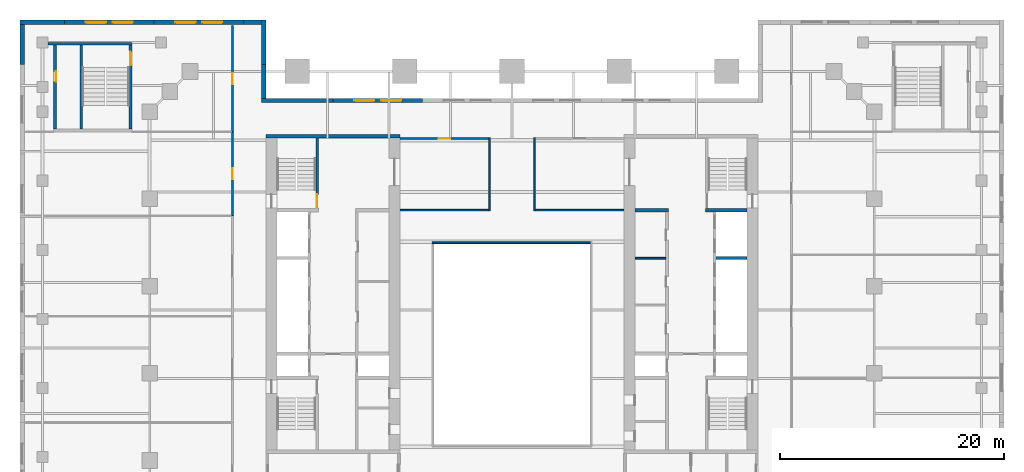
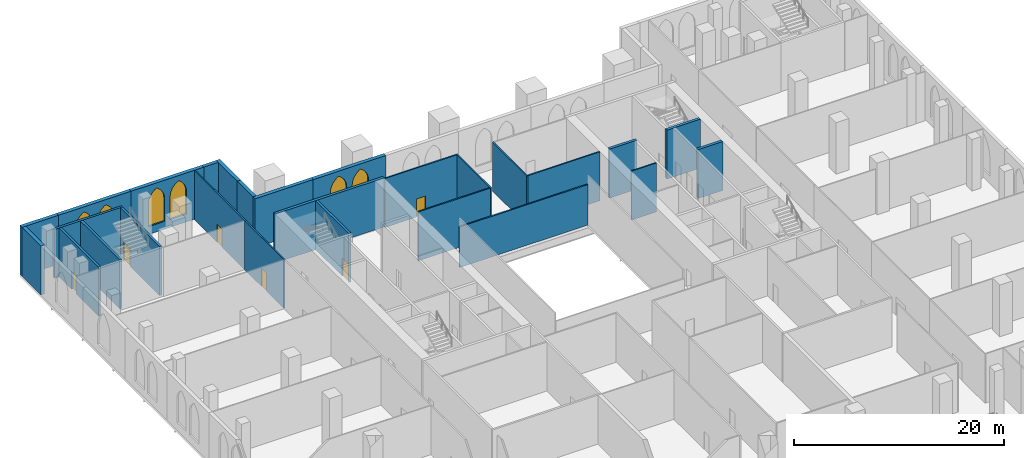
# One storey, part 15 of 21: 27 walls, 6 doors, 6 windows, 12 openings.
"""IFC4 building model written with IfcOpenShell, lengths in metres."""

from ifc_helpers import new_model, si_unit, direction, frame, frame_2d, origin, place, context, subcontext, project, spatial, polyline, rectangle, outline, extrude, material, layer, layer_set, type_object, element, fill, save


model = new_model("IFC4")

# Units and contexts
model_context = context("Model", 3, precision=1e-05, world=origin(), true_north=direction((0.0, 1.0)))
body_context = subcontext(model_context, "Body", "Model", "MODEL_VIEW")
ifc_project = project(units=[si_unit("LENGTHUNIT", "METRE"), si_unit("AREAUNIT", "SQUARE_METRE"), si_unit("VOLUMEUNIT", "CUBIC_METRE"), si_unit("PLANEANGLEUNIT", "RADIAN"), si_unit("MASSUNIT", "GRAM", prefix="KILO")], contexts=[model_context])

# Site, building, storey
site_placement = place(None, origin())
site = spatial("IfcSite", under=ifc_project, at=site_placement, CompositionType="ELEMENT")
building_placement = place(site_placement, origin())
building = spatial("IfcBuilding", under=site, at=building_placement, Name="Ogive Exchange Tower", CompositionType="ELEMENT")
storey_placement = place(building_placement, frame((0.0, 0.0, 8.0)))
storey = spatial("IfcBuildingStorey", under=building, at=storey_placement, Name="L01", CompositionType="ELEMENT", Elevation=8.0)

# Walls
ifc_material_1 = material(Name="Gypsum board partition")
ifc_layer_1 = layer(ifc_material_1, 0.14990234375)
ifc_layer_set_1 = layer_set([ifc_layer_1], Name="Core room partition 150 gypsum")
wall_type_1 = type_object("IfcWallType", Name="Core room partition 150 gypsum", PredefinedType="PARTITIONING", material=ifc_layer_set_1)
wall_1_placement = place(storey_placement, frame((11.0, 14.699951171875, 0.0), z_axis=(0.0, 0.0, 1.0), x_axis=(1.0, 0.0, 0.0)))
element("IfcWall", 1, at=wall_1_placement, inside=storey, type_object=wall_type_1, Name="E row B bay partition 1-2", PredefinedType="PARTITIONING", context=body_context, shape_type="SweptSolid", body=[
    extrude(rectangle(XDim=2.75, YDim=0.14990234375, at=frame_2d((1.375, 0.0))), origin(), (0.0, 0.0, 1.0), 5.699951171875),
])
ifc_layer_2 = layer(ifc_material_1, 0.300048828125)
ifc_layer_set_2 = layer_set([ifc_layer_2], Name="Core room partition 300 gypsum")
wall_type_2 = type_object("IfcWallType", Name="Core room partition 300 gypsum", PredefinedType="PARTITIONING", material=ifc_layer_set_2)
wall_2_placement = place(storey_placement, frame((11.0, 19.0, 0.0), z_axis=(0.0, 0.0, 1.0), x_axis=(1.0, 0.0, 0.0)))
element("IfcWall", 2, at=wall_2_placement, inside=storey, type_object=wall_type_2, Name="E row B room end wall 7", PredefinedType="PARTITIONING", context=body_context, shape_type="SweptSolid", body=[
    extrude(rectangle(XDim=3.0, YDim=0.300048828125, at=frame_2d((1.5, 0.0))), origin(), (0.0, 0.0, 1.0), 5.699951171875),
])
ifc_material_2 = material(Name="Fire partition EI 60 150")
ifc_layer_3 = layer(ifc_material_2, 0.14990234375)
ifc_layer_set_3 = layer_set([ifc_layer_3], Name="Fire partition EI 60 150")
wall_type_3 = type_object("IfcWallType", Name="Fire partition EI 60 150", PredefinedType="PARTITIONING", material=ifc_layer_set_3)
for number, where, z_axis, x_axis, name in (
    (3, (-10.0, 19.0, 0.0), (0.0, 0.0, 1.0), (1.0, 0.0, 0.0), "L01-PWL-033"),
    (4, (2.074951171875, 19.0, 0.0), (0.0, 0.0, 1.0), (1.0, 0.0, 0.0), "L01-PWL-034"),
):
    element("IfcWall", number, at=place(storey_placement, frame(where, z_axis=z_axis, x_axis=x_axis)), inside=storey, type_object=wall_type_3, Name=name, PredefinedType="PARTITIONING", context=body_context, shape_type="SweptSolid", body=[
        extrude(rectangle(XDim=7.925048828125, YDim=0.14990234375, at=frame_2d((3.96240234375, 0.0))), origin(), (0.0, 0.0, 1.0), 5.699951171875),
    ])

# Wall, opening, door
wall_3_placement = place(storey_placement, frame((-10.0, 25.39990234375, 0.0), z_axis=(0.0, 0.0, 1.0), x_axis=(1.0, 0.0, 0.0)))
wall_3 = element("IfcWall", 5, at=wall_3_placement, inside=storey, type_object=wall_type_3, Name="L01-PWL-035", PredefinedType="PARTITIONING", context=body_context, shape_type="SweptSolid", body=[
    extrude(rectangle(XDim=7.925048828125, YDim=0.14990234375, at=frame_2d((3.96240234375, 0.0))), origin(), (0.0, 0.0, 1.0), 5.699951171875),
])
opening_1_placement = place(wall_3_placement, frame((3.46240234375, 0.0, 0.0)))
opening_1 = element("IfcOpeningElement", 6, at=opening_1_placement, cuts=wall_3, Name="Opening L01-I24", PredefinedType="OPENING", context=body_context, shape_type="SweptSolid", body=[
    extrude(rectangle(XDim=1.0, YDim=2.10009765625, at=frame_2d((0.5, 1.050048828125))), frame((0.0, 0.0849609375, 0.0), z_axis=(0.0, -1.0, 0.0), x_axis=(1.0, 0.0, 0.0)), (0.0, 0.0, 1.0), 0.169921875),
])
ifc_material_3 = material(Name="Fire door FD 30S 1000 x 2100")
door_type_1 = type_object("IfcDoorType", Name="Fire door FD 30S 1000 x 2100", OperationType="NOTDEFINED", PredefinedType="DOOR", material=ifc_material_3)
door_1_placement = place(opening_1_placement, frame((1.0, 0.0, 0.0), z_axis=(0.0, 0.0, 1.0), x_axis=(-1.0, 0.0, 0.0)))
door_1 = element("IfcDoor", 7, at=door_1_placement, inside=storey, type_object=door_type_1, Name="L01-IDR-024", ObjectType="DT3", OperationType="SINGLE_SWING_LEFT", OverallHeight=2.10009765625, OverallWidth=1.0, PredefinedType="DOOR", context=body_context, shape_type="SweptSolid", body=[
    extrude(rectangle(XDim=1.0, YDim=2.10009765625, at=frame_2d((0.5, 1.050048828125))), frame((0.0, 0.02490234375, 0.0), z_axis=(0.0, -1.0, 0.0), x_axis=(1.0, 0.0, 0.0)), (0.0, 0.0, 1.0), 0.050048828125),
])
fill(opening_1, door_1)

wall_4_placement = place(storey_placement, frame((-25.0, 18.5, 0.0), z_axis=(0.0, 0.0, 1.0), x_axis=(0.0, 1.0, 0.0)))
wall_4 = element("IfcWall", 8, at=wall_4_placement, inside=storey, type_object=wall_type_3, Name="L01-PWL-050", PredefinedType="PARTITIONING", context=body_context, shape_type="SweptSolid", body=[
    extrude(rectangle(XDim=7.5, YDim=0.14990234375, at=frame_2d((3.75, 0.0))), origin(), (0.0, 0.0, 1.0), 5.699951171875),
])
opening_2_placement = place(wall_4_placement, frame((3.25, 0.0, 0.0)))
opening_2 = element("IfcOpeningElement", 9, at=opening_2_placement, cuts=wall_4, Name="Opening L01-I08", PredefinedType="OPENING", context=body_context, shape_type="SweptSolid", body=[
    extrude(rectangle(XDim=1.0, YDim=2.10009765625, at=frame_2d((0.5, 1.050048828125))), frame((0.0, 0.0849609375, 0.0), z_axis=(0.0, -1.0, 0.0), x_axis=(1.0, 0.0, 0.0)), (0.0, 0.0, 1.0), 0.169921875),
])
door_2_placement = place(opening_2_placement, origin())
door_2 = element("IfcDoor", 10, at=door_2_placement, inside=storey, type_object=door_type_1, Name="L01-IDR-008", ObjectType="DT3", OperationType="SINGLE_SWING_LEFT", OverallHeight=2.10009765625, OverallWidth=1.0, PredefinedType="DOOR", context=body_context, shape_type="SweptSolid", body=[
    extrude(rectangle(XDim=1.0, YDim=2.10009765625, at=frame_2d((0.5, 1.050048828125))), frame((0.0, 0.02490234375, 0.0), z_axis=(0.0, -1.0, 0.0), x_axis=(1.0, 0.0, 0.0)), (0.0, 0.0, 1.0), 0.050048828125),
])
fill(opening_2, door_2)

wall_5_placement = place(storey_placement, frame((-25.0, 26.0, 0.0), z_axis=(0.0, 0.0, 1.0), x_axis=(0.0, 1.0, 0.0)))
wall_5 = element("IfcWall", 11, at=wall_5_placement, inside=storey, type_object=wall_type_3, Name="L01-PWL-051", PredefinedType="PARTITIONING", context=body_context, shape_type="SweptSolid", body=[
    extrude(rectangle(XDim=9.5, YDim=0.14990234375, at=frame_2d((4.75, 0.0))), origin(), (0.0, 0.0, 1.0), 5.699951171875),
])
opening_3_placement = place(wall_5_placement, frame((4.25, 0.0, 0.0)))
opening_3 = element("IfcOpeningElement", 12, at=opening_3_placement, cuts=wall_5, Name="Opening L01-I01", PredefinedType="OPENING", context=body_context, shape_type="SweptSolid", body=[
    extrude(rectangle(XDim=1.0, YDim=2.10009765625, at=frame_2d((0.5, 1.050048828125))), frame((0.0, 0.0849609375, 0.0), z_axis=(0.0, -1.0, 0.0), x_axis=(1.0, 0.0, 0.0)), (0.0, 0.0, 1.0), 0.169921875),
])
door_3_placement = place(opening_3_placement, origin())
door_3 = element("IfcDoor", 13, at=door_3_placement, inside=storey, type_object=door_type_1, Name="L01-IDR-001", ObjectType="DT3", OperationType="SINGLE_SWING_LEFT", OverallHeight=2.10009765625, OverallWidth=1.0, PredefinedType="DOOR", context=body_context, shape_type="SweptSolid", body=[
    extrude(rectangle(XDim=1.0, YDim=2.10009765625, at=frame_2d((0.5, 1.050048828125))), frame((0.0, 0.02490234375, 0.0), z_axis=(0.0, -1.0, 0.0), x_axis=(1.0, 0.0, 0.0)), (0.0, 0.0, 1.0), 0.050048828125),
])
fill(opening_3, door_3)

# Walls
for number, where, z_axis, x_axis, name in (
    (14, (-2.0, 18.925048828125, 0.0), (0.0, 0.0, 1.0), (0.0, 1.0, 0.0), "L01-PWL-055"),
    (15, (2.0, 18.925048828125, 0.0), (0.0, 0.0, 1.0), (0.0, 1.0, 0.0), "L01-PWL-058"),
):
    element("IfcWall", number, at=place(storey_placement, frame(where, z_axis=z_axis, x_axis=x_axis)), inside=storey, type_object=wall_type_3, Name=name, PredefinedType="PARTITIONING", context=body_context, shape_type="SweptSolid", body=[
        extrude(rectangle(XDim=6.550048828125, YDim=0.14990234375, at=frame_2d((3.27490234375, 0.0))), origin(), (0.0, 0.0, 1.0), 5.699951171875),
    ])
ifc_material_4 = material(Name="Fire-resisting glass in steel frame", Category="steel")
ifc_layer_4 = layer(ifc_material_4, 0.14990234375)
ifc_layer_set_4 = layer_set([ifc_layer_4], Name="Fire-rated glazed wall 150")
wall_type_4 = type_object("IfcWallType", Name="Fire-rated glazed wall 150", PredefinedType="STANDARD", material=ifc_layer_set_4)
wall_6_placement = place(storey_placement, frame((-7.14990234375, 16.074951171875, 0.0), z_axis=(0.0, 0.0, 1.0), x_axis=(1.0, 0.0, 0.0)))
element("IfcWall", 16, at=wall_6_placement, inside=storey, type_object=wall_type_4, Name="Nave enclosure wall 2", PredefinedType="STANDARD", context=body_context, shape_type="SweptSolid", body=[
    extrude(rectangle(XDim=14.14990234375, YDim=0.14990234375, at=frame_2d((7.074951171875, 0.0))), origin(), (0.0, 0.0, 1.0), 4.719970703125),
])

# Wall, openings, windows
ifc_material_5 = material(Name="Precast concrete C40/50", Category="concrete")
ifc_layer_5 = layer(ifc_material_5, 0.39990234375)
ifc_layer_set_5 = layer_set([ifc_layer_5], Name="Limestone-faced wall 400")
wall_type_5 = type_object("IfcWallType", Name="Limestone-faced wall 400", PredefinedType="STANDARD", material=ifc_layer_set_5)
wall_7_placement = place(storey_placement, frame((-8.0, 28.800048828125, 0.0), z_axis=(0.0, 0.0, 1.0), x_axis=(-1.0, 0.0, 0.0)))
wall_7 = element("IfcWall", 17, at=wall_7_placement, inside=storey, type_object=wall_type_5, Name="Podium wall B5", PredefinedType="STANDARD", context=body_context, shape_type="SweptSolid", body=[
    extrude(rectangle(XDim=8.0, YDim=0.39990234375, at=frame_2d((4.0, 0.0))), origin(), (0.0, 0.0, 1.0), 5.699951171875),
])
opening_4_placement = place(wall_7_placement, frame((1.89990234375, 0.0, 0.89990234375)))
opening_4 = element("IfcOpeningElement", 18, at=opening_4_placement, cuts=wall_7, Name="Opening WQ420", PredefinedType="OPENING", context=body_context, shape_type="SweptSolid", body=[
    extrude(outline(polyline([(0.0, 0.0), (1.800048828125, 0.0), (1.800048828125, 2.64111328125), (1.78466796875, 2.8759765625), (1.73876953125, 3.10693359375), (1.6630859375, 3.329833984375), (1.558837890625, 3.541015625), (1.427978515625, 3.73681640625), (1.272705078125, 3.913818359375), (1.095703125, 4.069091796875), (0.89990234375, 4.199951171875), (0.704345703125, 4.069091796875), (0.52734375, 3.913818359375), (0.3720703125, 3.73681640625), (0.2412109375, 3.541015625), (0.136962890625, 3.329833984375), (0.061279296875, 3.10693359375), (0.015380859375, 2.8759765625), (0.0, 2.64111328125), (0.0, 0.0)])), frame((0.0, 0.2099609375, 0.0), z_axis=(0.0, -1.0, 0.0), x_axis=(1.0, 0.0, 0.0)), (0.0, 0.0, 1.0), 0.419921875),
])
opening_5_placement = place(wall_7_placement, frame((4.300048828125, 0.0, 0.89990234375)))
opening_5 = element("IfcOpeningElement", 19, at=opening_5_placement, cuts=wall_7, Name="Opening WQ420", PredefinedType="OPENING", context=body_context, shape_type="SweptSolid", body=[
    extrude(outline(polyline([(0.0, 0.0), (1.800048828125, 0.0), (1.800048828125, 2.64111328125), (1.78466796875, 2.8759765625), (1.73876953125, 3.10693359375), (1.6630859375, 3.329833984375), (1.558837890625, 3.541015625), (1.427978515625, 3.73681640625), (1.272705078125, 3.913818359375), (1.095703125, 4.069091796875), (0.89990234375, 4.199951171875), (0.704345703125, 4.069091796875), (0.52734375, 3.913818359375), (0.3720703125, 3.73681640625), (0.2412109375, 3.541015625), (0.136962890625, 3.329833984375), (0.061279296875, 3.10693359375), (0.015380859375, 2.8759765625), (0.0, 2.64111328125), (0.0, 0.0)])), frame((0.0, 0.2099609375, 0.0), z_axis=(0.0, -1.0, 0.0), x_axis=(1.0, 0.0, 0.0)), (0.0, 0.0, 1.0), 0.419921875),
])
ifc_material_6 = material(Name="Clear glass in bronze frame", Category="glass")
window_type = type_object("IfcWindowType", Name="Podium paired lancet 1800 x 4200", PartitioningType="DOUBLE_PANEL_VERTICAL", PredefinedType="WINDOW", material=ifc_material_6)
window_1_placement = place(opening_4_placement, origin())
window_1 = element("IfcWindow", 20, at=window_1_placement, inside=storey, type_object=window_type, Name="Podium paired lancet B5.1", OverallHeight=4.199951171875, OverallWidth=1.800048828125, PartitioningType="DOUBLE_PANEL_VERTICAL", PredefinedType="WINDOW", context=body_context, shape_type="SweptSolid", body=[
    extrude(outline(polyline([(0.0, 0.0), (1.800048828125, 0.0), (1.800048828125, 2.64111328125), (1.78466796875, 2.8759765625), (1.73876953125, 3.10693359375), (1.6630859375, 3.329833984375), (1.558837890625, 3.541015625), (1.427978515625, 3.73681640625), (1.272705078125, 3.913818359375), (1.095703125, 4.069091796875), (0.89990234375, 4.199951171875), (0.704345703125, 4.069091796875), (0.52734375, 3.913818359375), (0.3720703125, 3.73681640625), (0.2412109375, 3.541015625), (0.136962890625, 3.329833984375), (0.061279296875, 3.10693359375), (0.015380859375, 2.8759765625), (0.0, 2.64111328125), (0.0, 0.0)])), frame((0.0, 0.030029296875, 0.0), z_axis=(0.0, -1.0, 0.0), x_axis=(1.0, 0.0, 0.0)), (0.0, 0.0, 1.0), 0.06005859375),
])
fill(opening_4, window_1)
window_2_placement = place(opening_5_placement, origin())
window_2 = element("IfcWindow", 21, at=window_2_placement, inside=storey, type_object=window_type, Name="Podium paired lancet B5.2", OverallHeight=4.199951171875, OverallWidth=1.800048828125, PartitioningType="DOUBLE_PANEL_VERTICAL", PredefinedType="WINDOW", context=body_context, shape_type="SweptSolid", body=[
    extrude(outline(polyline([(0.0, 0.0), (1.800048828125, 0.0), (1.800048828125, 2.64111328125), (1.78466796875, 2.8759765625), (1.73876953125, 3.10693359375), (1.6630859375, 3.329833984375), (1.558837890625, 3.541015625), (1.427978515625, 3.73681640625), (1.272705078125, 3.913818359375), (1.095703125, 4.069091796875), (0.89990234375, 4.199951171875), (0.704345703125, 4.069091796875), (0.52734375, 3.913818359375), (0.3720703125, 3.73681640625), (0.2412109375, 3.541015625), (0.136962890625, 3.329833984375), (0.061279296875, 3.10693359375), (0.015380859375, 2.8759765625), (0.0, 2.64111328125), (0.0, 0.0)])), frame((0.0, 0.030029296875, 0.0), z_axis=(0.0, -1.0, 0.0), x_axis=(1.0, 0.0, 0.0)), (0.0, 0.0, 1.0), 0.06005859375),
])
fill(opening_5, window_2)

# Walls
wall_8_placement = place(storey_placement, frame((-16.0, 28.800048828125, 0.0), z_axis=(0.0, 0.0, 1.0), x_axis=(-1.0, 0.0, 0.0)))
element("IfcWall", 22, at=wall_8_placement, inside=storey, type_object=wall_type_5, Name="Podium wall B6", PredefinedType="STANDARD", context=body_context, shape_type="SweptSolid", body=[
    extrude(rectangle(XDim=6.39990234375, YDim=0.39990234375, at=frame_2d((3.199951171875, 0.0))), origin(), (0.0, 0.0, 1.0), 5.699951171875),
])
wall_9_placement = place(storey_placement, frame((-22.199951171875, 29.0, 0.0), z_axis=(0.0, 0.0, 1.0), x_axis=(0.0, 1.0, 0.0)))
element("IfcWall", 23, at=wall_9_placement, inside=storey, type_object=wall_type_5, Name="Podium wall J1", PredefinedType="STANDARD", context=body_context, shape_type="SweptSolid", body=[
    extrude(rectangle(XDim=3.0, YDim=0.39990234375, at=frame_2d((1.5, 0.0))), origin(), (0.0, 0.0, 1.0), 5.699951171875),
])
wall_10_placement = place(storey_placement, frame((-22.199951171875, 32.0, 0.0), z_axis=(0.0, 0.0, 1.0), x_axis=(0.0, 1.0, 0.0)))
element("IfcWall", 24, at=wall_10_placement, inside=storey, type_object=wall_type_5, Name="Podium wall J2", PredefinedType="STANDARD", context=body_context, shape_type="SweptSolid", body=[
    extrude(rectangle(XDim=4.0, YDim=0.39990234375, at=frame_2d((2.0, 0.0))), origin(), (0.0, 0.0, 1.0), 5.699951171875),
])
wall_11_placement = place(storey_placement, frame((-22.39990234375, 35.800048828125, 0.0), z_axis=(0.0, 0.0, 1.0), x_axis=(-1.0, 0.0, 0.0)))
element("IfcWall", 25, at=wall_11_placement, inside=storey, type_object=wall_type_5, Name="Podium wall M1", PredefinedType="STANDARD", context=body_context, shape_type="SweptSolid", body=[
    extrude(rectangle(XDim=1.60009765625, YDim=0.39990234375, at=frame_2d((0.800048828125, 0.0))), origin(), (0.0, 0.0, 1.0), 5.699951171875),
])

# Wall, openings, windows
wall_12_placement = place(storey_placement, frame((-24.0, 35.800048828125, 0.0), z_axis=(0.0, 0.0, 1.0), x_axis=(-1.0, 0.0, 0.0)))
wall_12 = element("IfcWall", 26, at=wall_12_placement, inside=storey, type_object=wall_type_5, Name="Podium wall M2", PredefinedType="STANDARD", context=body_context, shape_type="SweptSolid", body=[
    extrude(rectangle(XDim=8.0, YDim=0.39990234375, at=frame_2d((4.0, 0.0))), origin(), (0.0, 0.0, 1.0), 5.699951171875),
])
opening_6_placement = place(wall_12_placement, frame((1.89990234375, 0.0, 0.89990234375)))
opening_6 = element("IfcOpeningElement", 27, at=opening_6_placement, cuts=wall_12, Name="Opening WQ420", PredefinedType="OPENING", context=body_context, shape_type="SweptSolid", body=[
    extrude(outline(polyline([(0.0, 0.0), (1.800048828125, 0.0), (1.800048828125, 2.64111328125), (1.78466796875, 2.8759765625), (1.73876953125, 3.10693359375), (1.6630859375, 3.329833984375), (1.558837890625, 3.541015625), (1.427978515625, 3.73681640625), (1.272705078125, 3.913818359375), (1.095703125, 4.069091796875), (0.89990234375, 4.199951171875), (0.704345703125, 4.069091796875), (0.52734375, 3.913818359375), (0.3720703125, 3.73681640625), (0.2412109375, 3.541015625), (0.136962890625, 3.329833984375), (0.061279296875, 3.10693359375), (0.015380859375, 2.8759765625), (0.0, 2.64111328125), (0.0, 0.0)])), frame((0.0, 0.2099609375, 0.0), z_axis=(0.0, -1.0, 0.0), x_axis=(1.0, 0.0, 0.0)), (0.0, 0.0, 1.0), 0.419921875),
])
opening_7_placement = place(wall_12_placement, frame((4.300048828125, 0.0, 0.89990234375)))
opening_7 = element("IfcOpeningElement", 28, at=opening_7_placement, cuts=wall_12, Name="Opening WQ420", PredefinedType="OPENING", context=body_context, shape_type="SweptSolid", body=[
    extrude(outline(polyline([(0.0, 0.0), (1.800048828125, 0.0), (1.800048828125, 2.64111328125), (1.78466796875, 2.8759765625), (1.73876953125, 3.10693359375), (1.6630859375, 3.329833984375), (1.558837890625, 3.541015625), (1.427978515625, 3.73681640625), (1.272705078125, 3.913818359375), (1.095703125, 4.069091796875), (0.89990234375, 4.199951171875), (0.704345703125, 4.069091796875), (0.52734375, 3.913818359375), (0.3720703125, 3.73681640625), (0.2412109375, 3.541015625), (0.136962890625, 3.329833984375), (0.061279296875, 3.10693359375), (0.015380859375, 2.8759765625), (0.0, 2.64111328125), (0.0, 0.0)])), frame((0.0, 0.2099609375, 0.0), z_axis=(0.0, -1.0, 0.0), x_axis=(1.0, 0.0, 0.0)), (0.0, 0.0, 1.0), 0.419921875),
])
window_3_placement = place(opening_6_placement, origin())
window_3 = element("IfcWindow", 29, at=window_3_placement, inside=storey, type_object=window_type, Name="Podium paired lancet M2.1", OverallHeight=4.199951171875, OverallWidth=1.800048828125, PartitioningType="DOUBLE_PANEL_VERTICAL", PredefinedType="WINDOW", context=body_context, shape_type="SweptSolid", body=[
    extrude(outline(polyline([(0.0, 0.0), (1.800048828125, 0.0), (1.800048828125, 2.64111328125), (1.78466796875, 2.8759765625), (1.73876953125, 3.10693359375), (1.6630859375, 3.329833984375), (1.558837890625, 3.541015625), (1.427978515625, 3.73681640625), (1.272705078125, 3.913818359375), (1.095703125, 4.069091796875), (0.89990234375, 4.199951171875), (0.704345703125, 4.069091796875), (0.52734375, 3.913818359375), (0.3720703125, 3.73681640625), (0.2412109375, 3.541015625), (0.136962890625, 3.329833984375), (0.061279296875, 3.10693359375), (0.015380859375, 2.8759765625), (0.0, 2.64111328125), (0.0, 0.0)])), frame((0.0, 0.030029296875, 0.0), z_axis=(0.0, -1.0, 0.0), x_axis=(1.0, 0.0, 0.0)), (0.0, 0.0, 1.0), 0.06005859375),
])
fill(opening_6, window_3)
window_4_placement = place(opening_7_placement, origin())
window_4 = element("IfcWindow", 30, at=window_4_placement, inside=storey, type_object=window_type, Name="Podium paired lancet M2.2", OverallHeight=4.199951171875, OverallWidth=1.800048828125, PartitioningType="DOUBLE_PANEL_VERTICAL", PredefinedType="WINDOW", context=body_context, shape_type="SweptSolid", body=[
    extrude(outline(polyline([(0.0, 0.0), (1.800048828125, 0.0), (1.800048828125, 2.64111328125), (1.78466796875, 2.8759765625), (1.73876953125, 3.10693359375), (1.6630859375, 3.329833984375), (1.558837890625, 3.541015625), (1.427978515625, 3.73681640625), (1.272705078125, 3.913818359375), (1.095703125, 4.069091796875), (0.89990234375, 4.199951171875), (0.704345703125, 4.069091796875), (0.52734375, 3.913818359375), (0.3720703125, 3.73681640625), (0.2412109375, 3.541015625), (0.136962890625, 3.329833984375), (0.061279296875, 3.10693359375), (0.015380859375, 2.8759765625), (0.0, 2.64111328125), (0.0, 0.0)])), frame((0.0, 0.030029296875, 0.0), z_axis=(0.0, -1.0, 0.0), x_axis=(1.0, 0.0, 0.0)), (0.0, 0.0, 1.0), 0.06005859375),
])
fill(opening_7, window_4)

wall_13_placement = place(storey_placement, frame((-32.0, 35.800048828125, 0.0), z_axis=(0.0, 0.0, 1.0), x_axis=(-1.0, 0.0, 0.0)))
wall_13 = element("IfcWall", 31, at=wall_13_placement, inside=storey, type_object=wall_type_5, Name="Podium wall M3", PredefinedType="STANDARD", context=body_context, shape_type="SweptSolid", body=[
    extrude(rectangle(XDim=8.0, YDim=0.39990234375, at=frame_2d((4.0, 0.0))), origin(), (0.0, 0.0, 1.0), 5.699951171875),
])
opening_8_placement = place(wall_13_placement, frame((1.89990234375, 0.0, 0.89990234375)))
opening_8 = element("IfcOpeningElement", 32, at=opening_8_placement, cuts=wall_13, Name="Opening WQ420", PredefinedType="OPENING", context=body_context, shape_type="SweptSolid", body=[
    extrude(outline(polyline([(0.0, 0.0), (1.800048828125, 0.0), (1.800048828125, 2.64111328125), (1.78466796875, 2.8759765625), (1.73876953125, 3.10693359375), (1.6630859375, 3.329833984375), (1.558837890625, 3.541015625), (1.427978515625, 3.73681640625), (1.272705078125, 3.913818359375), (1.095703125, 4.069091796875), (0.89990234375, 4.199951171875), (0.704345703125, 4.069091796875), (0.52734375, 3.913818359375), (0.3720703125, 3.73681640625), (0.2412109375, 3.541015625), (0.136962890625, 3.329833984375), (0.061279296875, 3.10693359375), (0.015380859375, 2.8759765625), (0.0, 2.64111328125), (0.0, 0.0)])), frame((0.0, 0.2099609375, 0.0), z_axis=(0.0, -1.0, 0.0), x_axis=(1.0, 0.0, 0.0)), (0.0, 0.0, 1.0), 0.419921875),
])
opening_9_placement = place(wall_13_placement, frame((4.300048828125, 0.0, 0.89990234375)))
opening_9 = element("IfcOpeningElement", 33, at=opening_9_placement, cuts=wall_13, Name="Opening WQ420", PredefinedType="OPENING", context=body_context, shape_type="SweptSolid", body=[
    extrude(outline(polyline([(0.0, 0.0), (1.800048828125, 0.0), (1.800048828125, 2.64111328125), (1.78466796875, 2.8759765625), (1.73876953125, 3.10693359375), (1.6630859375, 3.329833984375), (1.558837890625, 3.541015625), (1.427978515625, 3.73681640625), (1.272705078125, 3.913818359375), (1.095703125, 4.069091796875), (0.89990234375, 4.199951171875), (0.704345703125, 4.069091796875), (0.52734375, 3.913818359375), (0.3720703125, 3.73681640625), (0.2412109375, 3.541015625), (0.136962890625, 3.329833984375), (0.061279296875, 3.10693359375), (0.015380859375, 2.8759765625), (0.0, 2.64111328125), (0.0, 0.0)])), frame((0.0, 0.2099609375, 0.0), z_axis=(0.0, -1.0, 0.0), x_axis=(1.0, 0.0, 0.0)), (0.0, 0.0, 1.0), 0.419921875),
])
window_5_placement = place(opening_8_placement, origin())
window_5 = element("IfcWindow", 34, at=window_5_placement, inside=storey, type_object=window_type, Name="Podium paired lancet M3.1", OverallHeight=4.199951171875, OverallWidth=1.800048828125, PartitioningType="DOUBLE_PANEL_VERTICAL", PredefinedType="WINDOW", context=body_context, shape_type="SweptSolid", body=[
    extrude(outline(polyline([(0.0, 0.0), (1.800048828125, 0.0), (1.800048828125, 2.64111328125), (1.78466796875, 2.8759765625), (1.73876953125, 3.10693359375), (1.6630859375, 3.329833984375), (1.558837890625, 3.541015625), (1.427978515625, 3.73681640625), (1.272705078125, 3.913818359375), (1.095703125, 4.069091796875), (0.89990234375, 4.199951171875), (0.704345703125, 4.069091796875), (0.52734375, 3.913818359375), (0.3720703125, 3.73681640625), (0.2412109375, 3.541015625), (0.136962890625, 3.329833984375), (0.061279296875, 3.10693359375), (0.015380859375, 2.8759765625), (0.0, 2.64111328125), (0.0, 0.0)])), frame((0.0, 0.030029296875, 0.0), z_axis=(0.0, -1.0, 0.0), x_axis=(1.0, 0.0, 0.0)), (0.0, 0.0, 1.0), 0.06005859375),
])
fill(opening_8, window_5)
window_6_placement = place(opening_9_placement, origin())
window_6 = element("IfcWindow", 35, at=window_6_placement, inside=storey, type_object=window_type, Name="Podium paired lancet M3.2", OverallHeight=4.199951171875, OverallWidth=1.800048828125, PartitioningType="DOUBLE_PANEL_VERTICAL", PredefinedType="WINDOW", context=body_context, shape_type="SweptSolid", body=[
    extrude(outline(polyline([(0.0, 0.0), (1.800048828125, 0.0), (1.800048828125, 2.64111328125), (1.78466796875, 2.8759765625), (1.73876953125, 3.10693359375), (1.6630859375, 3.329833984375), (1.558837890625, 3.541015625), (1.427978515625, 3.73681640625), (1.272705078125, 3.913818359375), (1.095703125, 4.069091796875), (0.89990234375, 4.199951171875), (0.704345703125, 4.069091796875), (0.52734375, 3.913818359375), (0.3720703125, 3.73681640625), (0.2412109375, 3.541015625), (0.136962890625, 3.329833984375), (0.061279296875, 3.10693359375), (0.015380859375, 2.8759765625), (0.0, 2.64111328125), (0.0, 0.0)])), frame((0.0, 0.030029296875, 0.0), z_axis=(0.0, -1.0, 0.0), x_axis=(1.0, 0.0, 0.0)), (0.0, 0.0, 1.0), 0.06005859375),
])
fill(opening_9, window_6)

# Walls
wall_14_placement = place(storey_placement, frame((-40.0, 35.800048828125, 0.0), z_axis=(0.0, 0.0, 1.0), x_axis=(-1.0, 0.0, 0.0)))
element("IfcWall", 36, at=wall_14_placement, inside=storey, type_object=wall_type_5, Name="Podium wall M4", PredefinedType="STANDARD", context=body_context, shape_type="SweptSolid", body=[
    extrude(rectangle(XDim=4.0, YDim=0.39990234375, at=frame_2d((2.0, 0.0))), origin(), (0.0, 0.0, 1.0), 5.699951171875),
])
wall_15_placement = place(storey_placement, frame((-43.800048828125, 35.60009765625, 0.0), z_axis=(0.0, 0.0, 1.0), x_axis=(0.0, -1.0, 0.0)))
element("IfcWall", 37, at=wall_15_placement, inside=storey, type_object=wall_type_5, Name="Podium wall W1", PredefinedType="STANDARD", context=body_context, shape_type="SweptSolid", body=[
    extrude(rectangle(XDim=3.60009765625, YDim=0.39990234375, at=frame_2d((1.800048828125, 0.0))), origin(), (0.0, 0.0, 1.0), 5.699951171875),
])

# Wall, opening, door
ifc_material_7 = material(Name="Concrete C70/85", Category="concrete")
ifc_layer_6 = layer(ifc_material_7, 0.25)
ifc_layer_set_6 = layer_set([ifc_layer_6], Name="RC core wall 250 C70/85")
wall_type_6 = type_object("IfcWallType", Name="RC core wall 250 C70/85", PredefinedType="SHEAR", material=ifc_layer_set_6)
wall_16_placement = place(storey_placement, frame((-17.425048828125, 19.14990234375, 0.0), z_axis=(0.0, 0.0, 1.0), x_axis=(0.0, 1.0, 0.0)))
wall_16 = element("IfcWall", 38, at=wall_16_placement, inside=storey, type_object=wall_type_6, Name="W stair N front wall", PredefinedType="SHEAR", context=body_context, shape_type="SweptSolid", body=[
    extrude(rectangle(XDim=6.300048828125, YDim=0.25, at=frame_2d((3.14990234375, 0.0))), origin(), (0.0, 0.0, 1.0), 5.699951171875),
])
opening_10_placement = place(wall_16_placement, frame((0.050048828125, 0.0, 0.0)))
opening_10 = element("IfcOpeningElement", 39, at=opening_10_placement, cuts=wall_16, Name="Opening L01-C15", PredefinedType="OPENING", context=body_context, shape_type="SweptSolid", body=[
    extrude(rectangle(XDim=1.199951171875, YDim=2.10009765625, at=frame_2d((0.60009765625, 1.050048828125))), frame((0.0, 0.135009765625, 0.0), z_axis=(0.0, -1.0, 0.0), x_axis=(1.0, 0.0, 0.0)), (0.0, 0.0, 1.0), 0.27001953125),
])
ifc_material_8 = material(Name="Steel fire door", Category="steel")
door_type_2 = type_object("IfcDoorType", Name="Stair door FD90 1200 x 2100", OperationType="NOTDEFINED", PredefinedType="DOOR", material=ifc_material_8)
door_4_placement = place(opening_10_placement, origin())
door_4 = element("IfcDoor", 40, at=door_4_placement, inside=storey, type_object=door_type_2, Name="Stair door", ObjectType="CD5", OperationType="SINGLE_SWING_RIGHT", OverallHeight=2.10009765625, OverallWidth=1.199951171875, PredefinedType="DOOR", context=body_context, shape_type="SweptSolid", body=[
    extrude(rectangle(XDim=1.199951171875, YDim=2.10009765625, at=frame_2d((0.60009765625, 1.050048828125))), frame((0.0, 0.02490234375, 0.0), z_axis=(0.0, -1.0, 0.0), x_axis=(1.0, 0.0, 0.0)), (0.0, 0.0, 1.0), 0.050048828125),
])
fill(opening_10, door_4)

# Wall
wall_17_placement = place(storey_placement, frame((-41.5, 33.875, 0.0), z_axis=(0.0, 0.0, 1.0), x_axis=(1.0, 0.0, 0.0)))
element("IfcWall", 41, at=wall_17_placement, inside=storey, type_object=wall_type_6, Name="PS3 north wall", PredefinedType="SHEAR", context=body_context, shape_type="SweptSolid", body=[
    extrude(rectangle(XDim=7.5, YDim=0.25, at=frame_2d((3.75, 0.0))), origin(), (0.0, 0.0, 1.0), 5.699951171875),
])

# Wall, opening, door
wall_18_placement = place(storey_placement, frame((-40.875, 26.25, 0.0), z_axis=(0.0, 0.0, 1.0), x_axis=(0.0, 1.0, 0.0)))
wall_18 = element("IfcWall", 42, at=wall_18_placement, inside=storey, type_object=wall_type_6, Name="PS3 west wall", PredefinedType="SHEAR", context=body_context, shape_type="SweptSolid", body=[
    extrude(rectangle(XDim=7.5, YDim=0.25, at=frame_2d((3.75, 0.0))), origin(), (0.0, 0.0, 1.0), 5.699951171875),
])
opening_11_placement = place(wall_18_placement, frame((4.25, 0.0, 0.0)))
opening_11 = element("IfcOpeningElement", 43, at=opening_11_placement, cuts=wall_18, Name="Opening L01-C50", PredefinedType="OPENING", context=body_context, shape_type="SweptSolid", body=[
    extrude(rectangle(XDim=0.89990234375, YDim=2.10009765625, at=frame_2d((0.449951171875, 1.050048828125))), frame((0.0, 0.135009765625, 0.0), z_axis=(0.0, -1.0, 0.0), x_axis=(1.0, 0.0, 0.0)), (0.0, 0.0, 1.0), 0.27001953125),
])
door_type_3 = type_object("IfcDoorType", Name="Riser door FD60 900 x 2100", OperationType="NOTDEFINED", PredefinedType="DOOR", material=ifc_material_8)
door_5_placement = place(opening_11_placement, origin())
door_5 = element("IfcDoor", 44, at=door_5_placement, inside=storey, type_object=door_type_3, Name="Riser door", ObjectType="CD2", OperationType="SINGLE_SWING_LEFT", OverallHeight=2.10009765625, OverallWidth=0.89990234375, PredefinedType="DOOR", context=body_context, shape_type="SweptSolid", body=[
    extrude(rectangle(XDim=0.89990234375, YDim=2.10009765625, at=frame_2d((0.449951171875, 1.050048828125))), frame((0.0, -0.0751953125, 0.0), z_axis=(0.0, -1.0, 0.0), x_axis=(1.0, 0.0, 0.0)), (0.0, 0.0, 1.0), 0.050048828125),
])
fill(opening_11, door_5)

wall_19_placement = place(storey_placement, frame((-34.125, 26.25, 0.0), z_axis=(0.0, 0.0, 1.0), x_axis=(0.0, 1.0, 0.0)))
wall_19 = element("IfcWall", 45, at=wall_19_placement, inside=storey, type_object=wall_type_6, Name="PS3 east wall", PredefinedType="SHEAR", context=body_context, shape_type="SweptSolid", body=[
    extrude(rectangle(XDim=7.5, YDim=0.25, at=frame_2d((3.75, 0.0))), origin(), (0.0, 0.0, 1.0), 5.699951171875),
])
opening_12_placement = place(wall_19_placement, frame((5.699951171875, 0.0, 0.0)))
opening_12 = element("IfcOpeningElement", 46, at=opening_12_placement, cuts=wall_19, Name="Opening L01-C49", PredefinedType="OPENING", context=body_context, shape_type="SweptSolid", body=[
    extrude(rectangle(XDim=1.199951171875, YDim=2.10009765625, at=frame_2d((0.60009765625, 1.050048828125))), frame((0.0, 0.135009765625, 0.0), z_axis=(0.0, -1.0, 0.0), x_axis=(1.0, 0.0, 0.0)), (0.0, 0.0, 1.0), 0.27001953125),
])
door_6_placement = place(opening_12_placement, origin())
door_6 = element("IfcDoor", 47, at=door_6_placement, inside=storey, type_object=door_type_2, Name="Stair door", ObjectType="CD5", OperationType="SINGLE_SWING_LEFT", OverallHeight=2.10009765625, OverallWidth=1.199951171875, PredefinedType="DOOR", context=body_context, shape_type="SweptSolid", body=[
    extrude(rectangle(XDim=1.199951171875, YDim=2.10009765625, at=frame_2d((0.60009765625, 1.050048828125))), frame((0.0, 0.02490234375, 0.0), z_axis=(0.0, -1.0, 0.0), x_axis=(1.0, 0.0, 0.0)), (0.0, 0.0, 1.0), 0.050048828125),
])
fill(opening_12, door_6)

# Walls
wall_20_placement = place(storey_placement, frame((-38.52490234375, 26.25, 0.0), z_axis=(0.0, 0.0, 1.0), x_axis=(0.0, 1.0, 0.0)))
element("IfcWall", 48, at=wall_20_placement, inside=storey, type_object=wall_type_6, Name="PS3 partition wall", PredefinedType="SHEAR", context=body_context, shape_type="SweptSolid", body=[
    extrude(rectangle(XDim=7.5, YDim=0.25, at=frame_2d((3.75, 0.0))), origin(), (0.0, 0.0, 1.0), 5.699951171875),
])
ifc_layer_7 = layer(ifc_material_7, 0.300048828125)
ifc_layer_set_7 = layer_set([ifc_layer_7], Name="RC core wall 300 C70/85")
wall_type_7 = type_object("IfcWallType", Name="RC core wall 300 C70/85", PredefinedType="SHEAR", material=ifc_layer_set_7)
wall_21_placement = place(storey_placement, frame((-22.0, 25.60009765625, 0.0), z_axis=(0.0, 0.0, 1.0), x_axis=(1.0, 0.0, 0.0)))
element("IfcWall", 49, at=wall_21_placement, inside=storey, type_object=wall_type_7, Name="W north end wall", PredefinedType="SHEAR", context=body_context, shape_type="SweptSolid", body=[
    extrude(rectangle(XDim=12.0, YDim=0.300048828125, at=frame_2d((6.0, 0.0))), origin(), (0.0, 0.0, 1.0), 5.699951171875),
])
wall_22_placement = place(storey_placement, frame((17.300048828125, 19.0, 0.0), z_axis=(0.0, 0.0, 1.0), x_axis=(1.0, 0.0, 0.0)))
element("IfcWall", 50, at=wall_22_placement, inside=storey, type_object=wall_type_7, Name="E stair N south wall", PredefinedType="SHEAR", context=body_context, shape_type="SweptSolid", body=[
    extrude(rectangle(XDim=3.699951171875, YDim=0.300048828125, at=frame_2d((1.85009765625, 0.0))), origin(), (0.0, 0.0, 1.0), 5.699951171875),
])
wall_23_placement = place(storey_placement, frame((18.25, 14.71435546875, 0.0), z_axis=(0.0, 0.0, 1.0), x_axis=(1.0, 0.0, 0.0)))
element("IfcWall", 51, at=wall_23_placement, inside=storey, type_object=wall_type_7, Name="E row A divider 5", PredefinedType="SHEAR", context=body_context, shape_type="SweptSolid", body=[
    extrude(rectangle(XDim=2.75, YDim=0.300048828125, at=frame_2d((1.375, 0.0))), origin(), (0.0, 0.0, 1.0), 5.699951171875),
])

save(model, "model.ifc")
